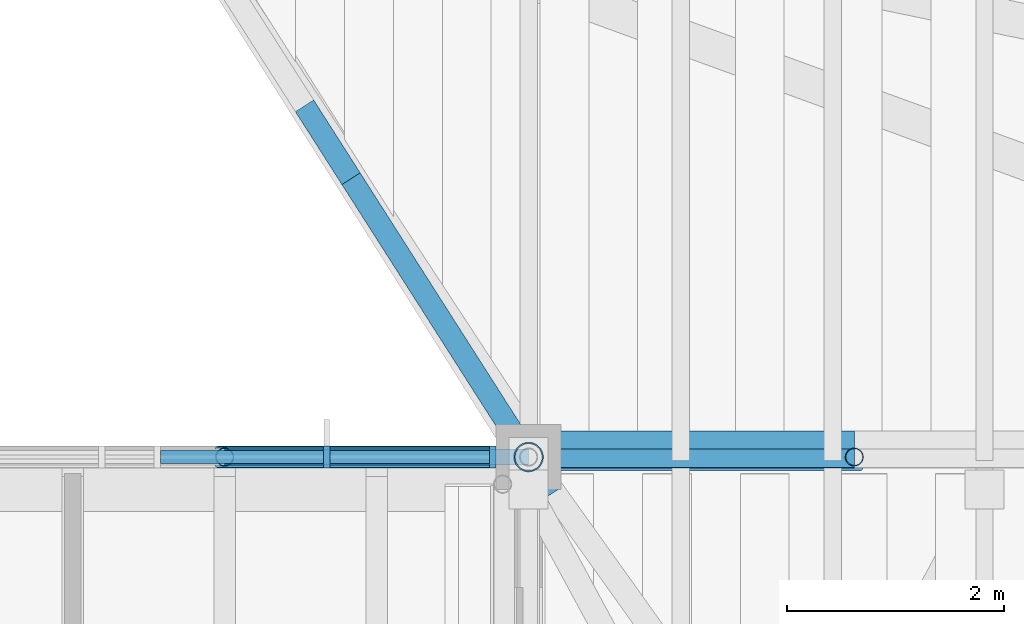
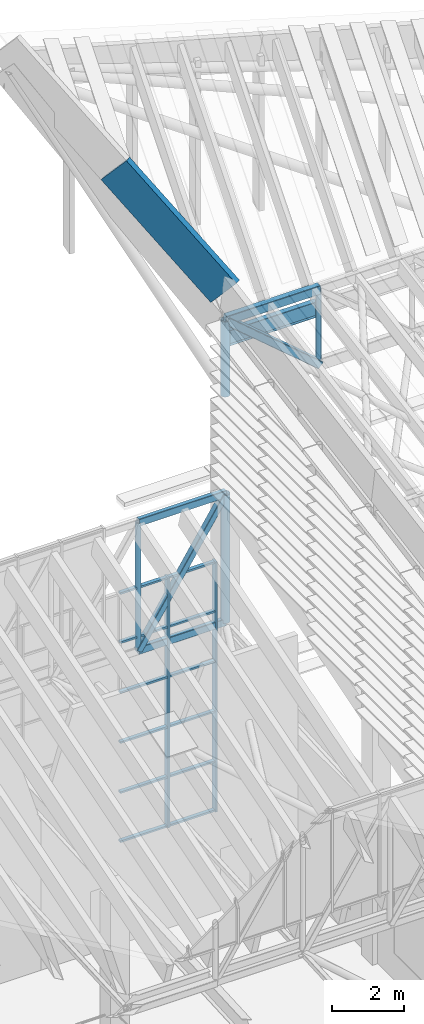
# One storey, part 38 of 91: 23 members, 2 beams, 1 element without a shape of its own.
"""IFC4 building model written with IfcOpenShell, lengths in metres."""

from ifc_helpers import new_model, si_unit, direction, frame, origin, origin_2d, place, context, subcontext, project, spatial, rectangle, hollow_rectangle, hollow_circle, i_section, extrude, material, material_profile, profile_set, type_object, element, aggregate, save


model = new_model("IFC4")

# Units and contexts
model_context = context("Model", 3, precision=1e-05, world=origin(), true_north=direction((0.0, 1.0)))
body_context = subcontext(model_context, "Body", "Model", "MODEL_VIEW")
ifc_project = project(units=[si_unit("LENGTHUNIT", "METRE"), si_unit("AREAUNIT", "SQUARE_METRE"), si_unit("VOLUMEUNIT", "CUBIC_METRE"), si_unit("PLANEANGLEUNIT", "RADIAN"), si_unit("MASSUNIT", "GRAM", prefix="KILO")], contexts=[model_context])

# Site, building, storey
site_placement = place(None, origin())
site = spatial("IfcSite", under=ifc_project, at=site_placement, CompositionType="ELEMENT")
building_placement = place(site_placement, origin())
building = spatial("IfcBuilding", under=site, at=building_placement, Name="Almond Square Museum", CompositionType="ELEMENT")
storey_placement = place(building_placement, frame((0.0, 0.0, 30.0)))
storey = spatial("IfcBuildingStorey", under=building, at=storey_placement, Name="L05", CompositionType="ELEMENT", Elevation=30.0)

# Curtain wall, members
ifc_material_1 = material(Name="Aluminium and laminated glass", Category="aluminium")
curtain_wall_type = type_object("IfcCurtainWallType", Name="Unitised curtain wall 1500 module", PredefinedType="NOTDEFINED", material=ifc_material_1)
curtain_wall_placement = place(storey_placement, origin())
curtain_wall = element("IfcCurtainWall", 1, at=curtain_wall_placement, inside=storey, type_object=curtain_wall_type, Name="Curtain wall CW-53", PredefinedType="NOTDEFINED")
ifc_material_2 = material(Name="Anodised aluminium", Category="aluminium")
ifc_material_profile_1 = material_profile(ifc_material_2, rectangle(XDim=0.199951171875, YDim=0.06005859375, at=origin_2d()))
ifc_profile_set_1 = profile_set([ifc_material_profile_1], Name="Anodised aluminium")
member_type_1 = type_object("IfcMemberType", Name="Aluminium mullion 60 x 200", PredefinedType="MULLION", material=ifc_profile_set_1)
member_1_placement = place(storey_placement, frame((104.93994140625, 109.199951171875, 0.0), z_axis=(0.0, 0.0, 1.0), x_axis=(0.0, 1.0, 0.0)))
member_1 = element("IfcMember", 2, at=member_1_placement, type_object=member_type_1, Name="CW-53 mullion 5", PredefinedType="MULLION", context=body_context, shape_type="SweptSolid", body=[
    extrude(rectangle(XDim=0.199951171875, YDim=0.06005859375, at=origin_2d()), origin(), (0.0, 0.0, 1.0), 8.480224609375),
])
member_2_placement = place(storey_placement, frame((106.469970703125, 109.199951171875, 0.0), z_axis=(0.0, 0.0, 1.0), x_axis=(0.0, 1.0, 0.0)))
member_2 = element("IfcMember", 3, at=member_2_placement, type_object=member_type_1, Name="CW-53 mullion 6", PredefinedType="MULLION", context=body_context, shape_type="SweptSolid", body=[
    extrude(rectangle(XDim=0.199951171875, YDim=0.06005859375, at=origin_2d()), origin(), (0.0, 0.0, 1.0), 8.480224609375),
])
ifc_material_3 = material(Name="Anodised aluminium", Category="aluminium")
ifc_material_profile_2 = material_profile(ifc_material_3, rectangle(XDim=0.1201171875, YDim=0.06005859375, at=origin_2d()))
ifc_profile_set_2 = profile_set([ifc_material_profile_2], Name="Anodised aluminium")
member_type_2 = type_object("IfcMemberType", Name="Aluminium transom 60 x 120", PredefinedType="USERDEFINED", material=ifc_profile_set_2)
member_3_placement = place(storey_placement, frame((103.409912109375, 109.199951171875, 0.030029296875), z_axis=(1.0, 0.0, 0.0), x_axis=(0.0, 1.0, 0.0)))
member_3 = element("IfcMember", 4, at=member_3_placement, type_object=member_type_2, Name="CW-53 transom 4.1", ObjectType="TRANSOM", PredefinedType="USERDEFINED", context=body_context, shape_type="SweptSolid", body=[
    extrude(rectangle(XDim=0.1201171875, YDim=0.06005859375, at=origin_2d()), origin(), (0.0, 0.0, 1.0), 1.5),
])
member_4_placement = place(storey_placement, frame((103.409912109375, 109.199951171875, 1.696044921875), z_axis=(1.0, 0.0, 0.0), x_axis=(0.0, 1.0, 0.0)))
member_4 = element("IfcMember", 5, at=member_4_placement, type_object=member_type_2, Name="CW-53 transom 4.2", ObjectType="TRANSOM", PredefinedType="USERDEFINED", context=body_context, shape_type="SweptSolid", body=[
    extrude(rectangle(XDim=0.1201171875, YDim=0.06005859375, at=origin_2d()), origin(), (0.0, 0.0, 1.0), 1.5),
])
member_5_placement = place(storey_placement, frame((103.409912109375, 109.199951171875, 3.39208984375), z_axis=(1.0, 0.0, 0.0), x_axis=(0.0, 1.0, 0.0)))
member_5 = element("IfcMember", 6, at=member_5_placement, type_object=member_type_2, Name="CW-53 transom 4.3", ObjectType="TRANSOM", PredefinedType="USERDEFINED", context=body_context, shape_type="SweptSolid", body=[
    extrude(rectangle(XDim=0.1201171875, YDim=0.06005859375, at=origin_2d()), origin(), (0.0, 0.0, 1.0), 1.5),
])
member_6_placement = place(storey_placement, frame((103.409912109375, 109.199951171875, 5.088134765625), z_axis=(1.0, 0.0, 0.0), x_axis=(0.0, 1.0, 0.0)))
member_6 = element("IfcMember", 7, at=member_6_placement, type_object=member_type_2, Name="CW-53 transom 4.4", ObjectType="TRANSOM", PredefinedType="USERDEFINED", context=body_context, shape_type="SweptSolid", body=[
    extrude(rectangle(XDim=0.1201171875, YDim=0.06005859375, at=origin_2d()), origin(), (0.0, 0.0, 1.0), 1.5),
])
member_7_placement = place(storey_placement, frame((103.409912109375, 109.199951171875, 6.7841796875), z_axis=(1.0, 0.0, 0.0), x_axis=(0.0, 1.0, 0.0)))
member_7 = element("IfcMember", 8, at=member_7_placement, type_object=member_type_2, Name="CW-53 transom 4.5", ObjectType="TRANSOM", PredefinedType="USERDEFINED", context=body_context, shape_type="SweptSolid", body=[
    extrude(rectangle(XDim=0.1201171875, YDim=0.06005859375, at=origin_2d()), origin(), (0.0, 0.0, 1.0), 1.5),
])
member_8_placement = place(storey_placement, frame((103.409912109375, 109.199951171875, 8.4501953125), z_axis=(1.0, 0.0, 0.0), x_axis=(0.0, 1.0, 0.0)))
member_8 = element("IfcMember", 9, at=member_8_placement, type_object=member_type_2, Name="CW-53 transom 4.6", ObjectType="TRANSOM", PredefinedType="USERDEFINED", context=body_context, shape_type="SweptSolid", body=[
    extrude(rectangle(XDim=0.1201171875, YDim=0.06005859375, at=origin_2d()), origin(), (0.0, 0.0, 1.0), 1.5),
])
member_9_placement = place(storey_placement, frame((104.969970703125, 109.199951171875, 0.030029296875), z_axis=(1.0, 0.0, 0.0), x_axis=(0.0, 1.0, 0.0)))
member_9 = element("IfcMember", 10, at=member_9_placement, type_object=member_type_2, Name="CW-53 transom 5.1", ObjectType="TRANSOM", PredefinedType="USERDEFINED", context=body_context, shape_type="SweptSolid", body=[
    extrude(rectangle(XDim=0.1201171875, YDim=0.06005859375, at=origin_2d()), origin(), (0.0, 0.0, 1.0), 1.469970703125),
])
member_10_placement = place(storey_placement, frame((104.969970703125, 109.199951171875, 1.696044921875), z_axis=(1.0, 0.0, 0.0), x_axis=(0.0, 1.0, 0.0)))
member_10 = element("IfcMember", 11, at=member_10_placement, type_object=member_type_2, Name="CW-53 transom 5.2", ObjectType="TRANSOM", PredefinedType="USERDEFINED", context=body_context, shape_type="SweptSolid", body=[
    extrude(rectangle(XDim=0.1201171875, YDim=0.06005859375, at=origin_2d()), origin(), (0.0, 0.0, 1.0), 1.469970703125),
])
member_11_placement = place(storey_placement, frame((104.969970703125, 109.199951171875, 3.39208984375), z_axis=(1.0, 0.0, 0.0), x_axis=(0.0, 1.0, 0.0)))
member_11 = element("IfcMember", 12, at=member_11_placement, type_object=member_type_2, Name="CW-53 transom 5.3", ObjectType="TRANSOM", PredefinedType="USERDEFINED", context=body_context, shape_type="SweptSolid", body=[
    extrude(rectangle(XDim=0.1201171875, YDim=0.06005859375, at=origin_2d()), origin(), (0.0, 0.0, 1.0), 1.469970703125),
])
member_12_placement = place(storey_placement, frame((104.969970703125, 109.199951171875, 5.088134765625), z_axis=(1.0, 0.0, 0.0), x_axis=(0.0, 1.0, 0.0)))
member_12 = element("IfcMember", 13, at=member_12_placement, type_object=member_type_2, Name="CW-53 transom 5.4", ObjectType="TRANSOM", PredefinedType="USERDEFINED", context=body_context, shape_type="SweptSolid", body=[
    extrude(rectangle(XDim=0.1201171875, YDim=0.06005859375, at=origin_2d()), origin(), (0.0, 0.0, 1.0), 1.469970703125),
])
member_13_placement = place(storey_placement, frame((104.969970703125, 109.199951171875, 6.7841796875), z_axis=(1.0, 0.0, 0.0), x_axis=(0.0, 1.0, 0.0)))
member_13 = element("IfcMember", 14, at=member_13_placement, type_object=member_type_2, Name="CW-53 transom 5.5", ObjectType="TRANSOM", PredefinedType="USERDEFINED", context=body_context, shape_type="SweptSolid", body=[
    extrude(rectangle(XDim=0.1201171875, YDim=0.06005859375, at=origin_2d()), origin(), (0.0, 0.0, 1.0), 1.469970703125),
])
member_14_placement = place(storey_placement, frame((104.969970703125, 109.199951171875, 8.4501953125), z_axis=(1.0, 0.0, 0.0), x_axis=(0.0, 1.0, 0.0)))
member_14 = element("IfcMember", 15, at=member_14_placement, type_object=member_type_2, Name="CW-53 transom 5.6", ObjectType="TRANSOM", PredefinedType="USERDEFINED", context=body_context, shape_type="SweptSolid", body=[
    extrude(rectangle(XDim=0.1201171875, YDim=0.06005859375, at=origin_2d()), origin(), (0.0, 0.0, 1.0), 1.469970703125),
])
aggregate(curtain_wall, [member_1, member_2, member_3, member_4, member_5, member_6, member_7, member_8, member_9, member_10, member_11, member_12, member_13, member_14])

# Beams
ifc_material_4 = material(Name="Structural steel S355", Category="steel")
ifc_material_profile_3 = material_profile(ifc_material_4, i_section(OverallWidth=0.166015625, OverallDepth=0.528076171875, WebThickness=0.009765625, FlangeThickness=0.013671875, at=origin_2d()))
ifc_profile_set_3 = profile_set([ifc_material_profile_3], Name="Structural steel S355")
beam_type_1 = type_object("IfcBeamType", Name="Eave beam W530x74", PredefinedType="BEAM", material=ifc_profile_set_3)
beam_1_placement = place(storey_placement, frame((106.800048828125, 109.35791015625, 15.781005859375), z_axis=(1.0, 0.0, 0.0), x_axis=(0.0, 1.0, 0.0)))
element("IfcBeam", 16, at=beam_1_placement, inside=storey, type_object=beam_type_1, Name="Prow edge beam", PredefinedType="BEAM", context=body_context, shape_type="SweptSolid", body=[
    extrude(i_section(OverallWidth=0.166015625, OverallDepth=0.528076171875, WebThickness=0.009765625, FlangeThickness=0.013671875, at=origin_2d()), origin(), (0.0, 0.0, 1.0), 3.0),
])
ifc_material_5 = material(Name="Glulam GL28h", Category="wood")
ifc_material_profile_4 = material_profile(ifc_material_5, rectangle(XDim=0.199951171875, YDim=1.199951171875, at=origin_2d()))
ifc_profile_set_4 = profile_set([ifc_material_profile_4], Name="Glulam GL28h")
beam_type_2 = type_object("IfcBeamType", Name="Rake fascia beam GL28h 200x1200", PredefinedType="BEAM", material=ifc_profile_set_4)
beam_2_placement = place(storey_placement, frame((106.800048828125, 109.199951171875, 17.489990234375), z_axis=(-0.40190843682, 0.630017197279, 0.66449073699), x_axis=(-0.843061885623, -0.537816564462, 0.0)))
element("IfcBeam", 17, at=beam_2_placement, inside=storey, type_object=beam_type_2, Name="Gable rake fascia W prow", PredefinedType="BEAM", context=body_context, shape_type="SweptSolid", body=[
    extrude(rectangle(XDim=0.199951171875, YDim=1.199951171875, at=origin_2d()), origin(), (0.0, 0.0, 1.0), 4.603271484375),
])

# Members
ifc_material_6 = material(Name="Structural steel S355", Category="steel")
ifc_material_profile_5 = material_profile(ifc_material_6, hollow_rectangle(XDim=0.14990234375, YDim=0.25, WallThickness=0.010009765625, InnerFilletRadius=0.014892578125, OuterFilletRadius=0.02490234375, at=origin_2d()))
ifc_profile_set_5 = profile_set([ifc_material_profile_5], Name="Structural steel S355")
member_type_3 = type_object("IfcMemberType", Name="Truss chord RHS 250x150x10", PredefinedType="CHORD", material=ifc_profile_set_5)
for number, where, z_axis, x_axis, name in (
    (18, (104.0, 109.199951171875, 10.650634765625), (1.0, 0.0, 0.0), (0.0, 1.0, 0.0), "TR-12 top chord 12"),
    (19, (104.0, 109.199951171875, 6.30517578125), (1.0, 0.0, 0.0), (0.0, 1.0, 0.0), "TR-12 bottom chord 12"),
):
    element("IfcMember", number, at=place(storey_placement, frame(where, z_axis=z_axis, x_axis=x_axis)), inside=storey, type_object=member_type_3, Name=name, PredefinedType="CHORD", context=body_context, shape_type="SweptSolid", body=[
        extrude(hollow_rectangle(XDim=0.14990234375, YDim=0.25, WallThickness=0.010009765625, InnerFilletRadius=0.014892578125, OuterFilletRadius=0.02490234375, at=origin_2d()), origin(), (0.0, 0.0, 1.0), 2.800048828125),
    ])
ifc_material_7 = material(Name="Structural steel S355", Category="steel")
ifc_material_profile_6 = material_profile(ifc_material_7, hollow_rectangle(XDim=0.199951171875, YDim=0.300048828125, WallThickness=0.010009765625, InnerFilletRadius=0.014892578125, OuterFilletRadius=0.02490234375, at=origin_2d()))
ifc_profile_set_6 = profile_set([ifc_material_profile_6], Name="Structural steel S355")
member_type_4 = type_object("IfcMemberType", Name="Truss chord RHS 300x200x10", PredefinedType="CHORD", material=ifc_profile_set_6)
member_15_placement = place(storey_placement, frame((106.800048828125, 109.199951171875, 16.53857421875), z_axis=(1.0, 0.0, 0.0), x_axis=(0.0, 1.0, 0.0)))
element("IfcMember", 20, at=member_15_placement, inside=storey, type_object=member_type_4, Name="TR-08 top chord 1", PredefinedType="CHORD", context=body_context, shape_type="SweptSolid", body=[
    extrude(hollow_rectangle(XDim=0.199951171875, YDim=0.300048828125, WallThickness=0.010009765625, InnerFilletRadius=0.014892578125, OuterFilletRadius=0.02490234375, at=origin_2d()), origin(), (0.0, 0.0, 1.0), 3.0),
])
ifc_material_8 = material(Name="Structural steel S355", Category="steel")
ifc_material_profile_7 = material_profile(ifc_material_8, hollow_rectangle(XDim=0.199951171875, YDim=0.199951171875, WallThickness=0.010009765625, InnerFilletRadius=0.014892578125, OuterFilletRadius=0.02490234375, at=origin_2d()))
ifc_profile_set_7 = profile_set([ifc_material_profile_7], Name="Structural steel S355")
member_type_5 = type_object("IfcMemberType", Name="Truss diagonal SHS 200x200x10", PredefinedType="BRACE", material=ifc_profile_set_7)
member_16_placement = place(storey_placement, frame((104.0, 109.199951171875, 6.30517578125), z_axis=(0.541652391523, 0.0, 0.840602573609), x_axis=(0.0, 1.0, 0.0)))
element("IfcMember", 21, at=member_16_placement, inside=storey, type_object=member_type_5, Name="TR-12 diagonal 12", PredefinedType="BRACE", context=body_context, shape_type="SweptSolid", body=[
    extrude(hollow_rectangle(XDim=0.199951171875, YDim=0.199951171875, WallThickness=0.010009765625, InnerFilletRadius=0.014892578125, OuterFilletRadius=0.02490234375, at=origin_2d()), origin(), (0.0, 0.0, 1.0), 5.16943359375),
])
ifc_material_9 = material(Name="Structural steel S355", Category="steel")
ifc_material_profile_8 = material_profile(ifc_material_9, hollow_rectangle(XDim=0.25, YDim=0.25, WallThickness=0.012451171875, InnerFilletRadius=0.02490234375, OuterFilletRadius=0.03759765625, at=origin_2d()))
ifc_profile_set_8 = profile_set([ifc_material_profile_8], Name="Structural steel S355")
member_type_6 = type_object("IfcMemberType", Name="Truss diagonal SHS 250x250x12.5", PredefinedType="BRACE", material=ifc_profile_set_8)
member_17_placement = place(storey_placement, frame((106.800048828125, 109.199951171875, 16.53857421875), z_axis=(0.762116801264, 0.0, -0.647439557975), x_axis=(0.0, 1.0, 0.0)))
element("IfcMember", 22, at=member_17_placement, inside=storey, type_object=member_type_6, Name="TR-08 diagonal 1", PredefinedType="BRACE", context=body_context, shape_type="SweptSolid", body=[
    extrude(hollow_rectangle(XDim=0.25, YDim=0.25, WallThickness=0.012451171875, InnerFilletRadius=0.02490234375, OuterFilletRadius=0.03759765625, at=origin_2d()), origin(), (0.0, 0.0, 1.0), 3.9365234375),
])
ifc_material_10 = material(Name="Structural steel S355", Category="steel")
ifc_material_profile_9 = material_profile(ifc_material_10, hollow_circle(Radius=0.084228515625, WallThickness=0.008056640625, at=origin_2d()))
ifc_profile_set_9 = profile_set([ifc_material_profile_9], Name="Structural steel S355")
member_type_7 = type_object("IfcMemberType", Name="Truss post CHS 168.3x8", PredefinedType="POST", material=ifc_profile_set_9)
member_18_placement = place(storey_placement, frame((109.800048828125, 109.199951171875, 13.989990234375), z_axis=(0.0, 0.0, 1.0), x_axis=(1.0, 0.0, 0.0)))
element("IfcMember", 23, at=member_18_placement, inside=storey, type_object=member_type_7, Name="TR-08 post 2", PredefinedType="POST", context=body_context, shape_type="SweptSolid", body=[
    extrude(hollow_circle(Radius=0.084228515625, WallThickness=0.008056640625, at=origin_2d()), origin(), (0.0, 0.0, 1.0), 2.548583984375),
])
member_19_placement = place(storey_placement, frame((104.0, 109.199951171875, 6.30517578125), z_axis=(0.0, 0.0, 1.0), x_axis=(1.0, 0.0, 0.0)))
element("IfcMember", 24, at=member_19_placement, inside=storey, type_object=member_type_7, Name="TR-12 post 12", PredefinedType="POST", context=body_context, shape_type="SweptSolid", body=[
    extrude(hollow_circle(Radius=0.084228515625, WallThickness=0.008056640625, at=origin_2d()), origin(), (0.0, 0.0, 1.0), 4.345458984375),
])
ifc_material_11 = material(Name="Structural steel S355", Category="steel")
ifc_material_profile_10 = material_profile(ifc_material_11, hollow_circle(Radius=0.136474609375, WallThickness=0.012451171875, at=origin_2d()))
ifc_profile_set_10 = profile_set([ifc_material_profile_10], Name="Structural steel S355")
member_type_8 = type_object("IfcMemberType", Name="Truss post CHS 273x12.5", PredefinedType="POST", material=ifc_profile_set_10)
member_20_placement = place(storey_placement, frame((106.800048828125, 109.199951171875, 13.989990234375), z_axis=(0.0, 0.0, 1.0), x_axis=(1.0, 0.0, 0.0)))
element("IfcMember", 25, at=member_20_placement, inside=storey, type_object=member_type_8, Name="TR-08 post 1", PredefinedType="POST", context=body_context, shape_type="SweptSolid", body=[
    extrude(hollow_circle(Radius=0.136474609375, WallThickness=0.012451171875, at=origin_2d()), origin(), (0.0, 0.0, 1.0), 2.548583984375),
])
member_21_placement = place(storey_placement, frame((106.800048828125, 109.199951171875, 6.30517578125), z_axis=(0.0, 0.0, 1.0), x_axis=(1.0, 0.0, 0.0)))
element("IfcMember", 26, at=member_21_placement, inside=storey, type_object=member_type_8, Name="TR-12 post 13", PredefinedType="POST", context=body_context, shape_type="SweptSolid", body=[
    extrude(hollow_circle(Radius=0.136474609375, WallThickness=0.012451171875, at=origin_2d()), origin(), (0.0, 0.0, 1.0), 4.345458984375),
])

save(model, "model.ifc")
